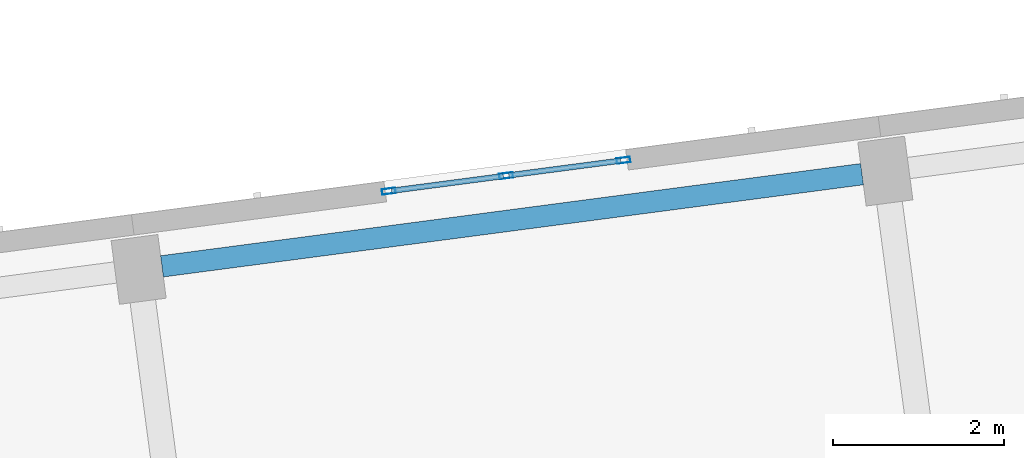
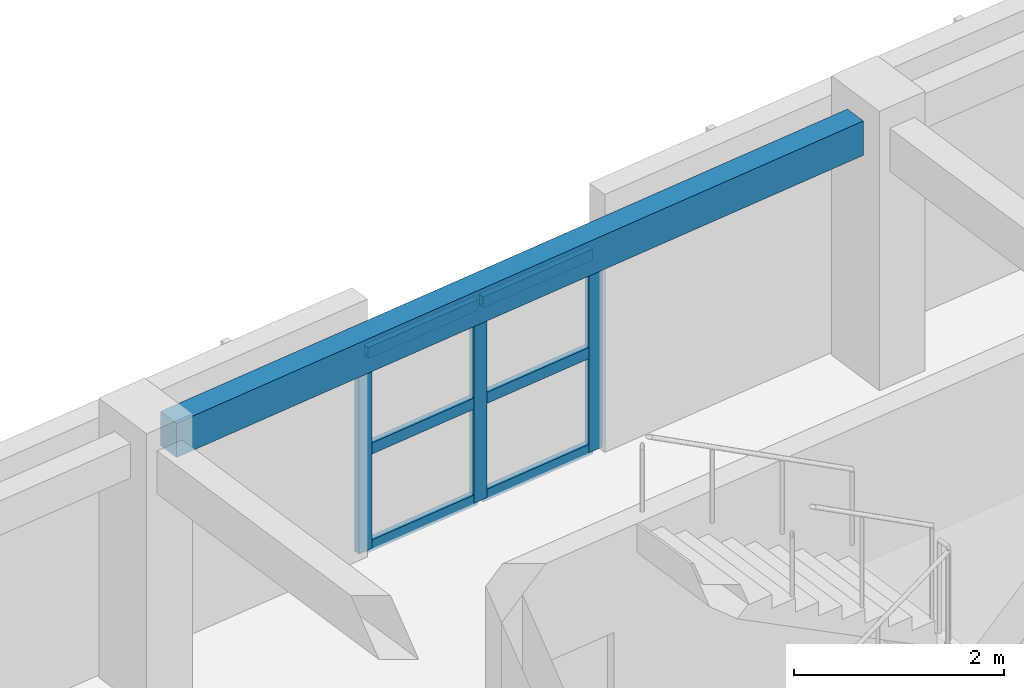
# One storey, part 4 of 64: 9 members, 1 beam, 1 element without a shape of its own.
"""IFC4 building model written with IfcOpenShell, lengths in metres."""

from ifc_helpers import new_model, si_unit, direction, frame, origin, origin_2d, place, context, subcontext, project, spatial, rectangle, hollow_rectangle, extrude, material, material_profile, profile_set, type_object, element, aggregate, save


model = new_model("IFC4")

# Units and contexts
model_context = context("Model", 3, precision=1e-05, world=origin(), true_north=direction((0.0, 1.0)))
body_context = subcontext(model_context, "Body", "Model", "MODEL_VIEW")
ifc_project = project(units=[si_unit("LENGTHUNIT", "METRE"), si_unit("AREAUNIT", "SQUARE_METRE"), si_unit("VOLUMEUNIT", "CUBIC_METRE"), si_unit("PLANEANGLEUNIT", "RADIAN"), si_unit("MASSUNIT", "GRAM", prefix="KILO")], contexts=[model_context])

# Site, building, storey
site_placement = place(None, origin())
site = spatial("IfcSite", under=ifc_project, at=site_placement, CompositionType="ELEMENT")
building_placement = place(site_placement, origin())
building = spatial("IfcBuilding", under=site, at=building_placement, Name="Kestramere Prow Commons", CompositionType="ELEMENT")
storey_placement = place(building_placement, frame((0.0, 0.0, 24.64990234375)))
storey = spatial("IfcBuildingStorey", under=building, at=storey_placement, Name="L07", CompositionType="ELEMENT", Elevation=24.64990234375)

# Curtain wall, members
ifc_material_1 = material(Name="Anodised Aluminium and Low-E Glass", Category="aluminium")
curtain_wall_type = type_object("IfcCurtainWallType", Name="CW-03 Glazed Curtain Wall 2830x2320", PredefinedType="USERDEFINED", material=ifc_material_1)
curtain_wall_placement = place(storey_placement, origin())
curtain_wall = element("IfcCurtainWall", 1, at=curtain_wall_placement, inside=storey, type_object=curtain_wall_type, Name="Block A L07 Stairwell Vertical Glazing 2", ObjectType="GLAZED CURTAIN WALL", PredefinedType="USERDEFINED")
ifc_material_2 = material(Name="Anodised Aluminium 6063-T6", Category="aluminium")
ifc_material_profile_1 = material_profile(ifc_material_2, hollow_rectangle(XDim=0.06494140625, YDim=0.159912109375, WallThickness=0.00390625, at=origin_2d()), Name="ALU-MUL 65x160")
ifc_profile_set_1 = profile_set([ifc_material_profile_1], Name="Anodised Aluminium 6063-T6")
member_type_1 = type_object("IfcMemberType", Name="CW-MUL-65x160", PredefinedType="MULLION", material=ifc_profile_set_1)
member_1_placement = place(storey_placement, frame((20.2373046875, 93.891845703125, 0.0), z_axis=(0.0, 0.0, 1.0), x_axis=(-0.13052614723, 0.991444867297, 0.0)))
member_1 = element("IfcMember", 2, at=member_1_placement, type_object=member_type_1, Name="CW-03 mullion 1", PredefinedType="MULLION", context=body_context, shape_type="SweptSolid", body=[
    extrude(hollow_rectangle(XDim=0.06494140625, YDim=0.159912109375, WallThickness=0.00390625, at=origin_2d()), origin(), (0.0, 0.0, 1.0), 2.320068359375),
])
member_2_placement = place(storey_placement, frame((21.60791015625, 94.072265625, 0.0), z_axis=(0.0, 0.0, 1.0), x_axis=(-0.13052614723, 0.991444867297, 0.0)))
member_2 = element("IfcMember", 3, at=member_2_placement, type_object=member_type_1, Name="CW-03 mullion 2", PredefinedType="MULLION", context=body_context, shape_type="SweptSolid", body=[
    extrude(hollow_rectangle(XDim=0.06494140625, YDim=0.159912109375, WallThickness=0.00390625, at=origin_2d()), origin(), (0.0, 0.0, 1.0), 2.320068359375),
])
member_3_placement = place(storey_placement, frame((22.978759765625, 94.252685546875, 0.0), z_axis=(0.0, 0.0, 1.0), x_axis=(-0.13052614723, 0.991444867297, 0.0)))
member_3 = element("IfcMember", 4, at=member_3_placement, type_object=member_type_1, Name="CW-03 mullion 3", PredefinedType="MULLION", context=body_context, shape_type="SweptSolid", body=[
    extrude(hollow_rectangle(XDim=0.06494140625, YDim=0.159912109375, WallThickness=0.00390625, at=origin_2d()), origin(), (0.0, 0.0, 1.0), 2.320068359375),
])
ifc_material_profile_2 = material_profile(ifc_material_2, hollow_rectangle(XDim=0.06494140625, YDim=0.1298828125, WallThickness=0.00390625, at=origin_2d()), Name="ALU-TRN 65x130")
ifc_profile_set_2 = profile_set([ifc_material_profile_2], Name="Anodised Aluminium 6063-T6")
member_type_2 = type_object("IfcMemberType", Name="CW-TRN-65x130", PredefinedType="USERDEFINED", material=ifc_profile_set_2)
member_4_placement = place(storey_placement, frame((20.26953125, 93.896240234375, 0.03271484375), z_axis=(0.991453033969, 0.130464100171, 0.0), x_axis=(-0.130464100171, 0.991453033969, 0.0)))
member_4 = element("IfcMember", 5, at=member_4_placement, type_object=member_type_2, Name="CW-03 transom 1.1", ObjectType="TRANSOM", PredefinedType="USERDEFINED", context=body_context, shape_type="SweptSolid", body=[
    extrude(hollow_rectangle(XDim=0.06494140625, YDim=0.1298828125, WallThickness=0.00390625, at=origin_2d()), origin(), (0.0, 0.0, 1.0), 1.3173828125),
])
member_5_placement = place(storey_placement, frame((20.26953125, 93.896240234375, 1.16015625), z_axis=(0.991453033969, 0.130464100171, 0.0), x_axis=(-0.130464100171, 0.991453033969, 0.0)))
member_5 = element("IfcMember", 6, at=member_5_placement, type_object=member_type_2, Name="CW-03 transom 1.2", ObjectType="TRANSOM", PredefinedType="USERDEFINED", context=body_context, shape_type="SweptSolid", body=[
    extrude(hollow_rectangle(XDim=0.06494140625, YDim=0.1298828125, WallThickness=0.00390625, at=origin_2d()), origin(), (0.0, 0.0, 1.0), 1.3173828125),
])
member_6_placement = place(storey_placement, frame((20.26953125, 93.896240234375, 2.28759765625), z_axis=(0.991453033969, 0.130464100171, 0.0), x_axis=(-0.130464100171, 0.991453033969, 0.0)))
member_6 = element("IfcMember", 7, at=member_6_placement, type_object=member_type_2, Name="CW-03 transom 1.3", ObjectType="TRANSOM", PredefinedType="USERDEFINED", context=body_context, shape_type="SweptSolid", body=[
    extrude(hollow_rectangle(XDim=0.06494140625, YDim=0.1298828125, WallThickness=0.00390625, at=origin_2d()), origin(), (0.0, 0.0, 1.0), 1.3173828125),
])
member_7_placement = place(storey_placement, frame((21.64013671875, 94.07666015625, 0.03271484375), z_axis=(0.991456187381, 0.130440133791, 0.0), x_axis=(-0.130440133791, 0.991456187381, 0.0)))
member_7 = element("IfcMember", 8, at=member_7_placement, type_object=member_type_2, Name="CW-03 transom 2.1", ObjectType="TRANSOM", PredefinedType="USERDEFINED", context=body_context, shape_type="SweptSolid", body=[
    extrude(hollow_rectangle(XDim=0.06494140625, YDim=0.1298828125, WallThickness=0.00390625, at=origin_2d()), origin(), (0.0, 0.0, 1.0), 1.317626953125),
])
member_8_placement = place(storey_placement, frame((21.64013671875, 94.07666015625, 1.16015625), z_axis=(0.991456187381, 0.130440133791, 0.0), x_axis=(-0.130440133791, 0.991456187381, 0.0)))
member_8 = element("IfcMember", 9, at=member_8_placement, type_object=member_type_2, Name="CW-03 transom 2.2", ObjectType="TRANSOM", PredefinedType="USERDEFINED", context=body_context, shape_type="SweptSolid", body=[
    extrude(hollow_rectangle(XDim=0.06494140625, YDim=0.1298828125, WallThickness=0.00390625, at=origin_2d()), origin(), (0.0, 0.0, 1.0), 1.317626953125),
])
member_9_placement = place(storey_placement, frame((21.64013671875, 94.07666015625, 2.28759765625), z_axis=(0.991456187381, 0.130440133791, 0.0), x_axis=(-0.130440133791, 0.991456187381, 0.0)))
member_9 = element("IfcMember", 10, at=member_9_placement, type_object=member_type_2, Name="CW-03 transom 2.3", ObjectType="TRANSOM", PredefinedType="USERDEFINED", context=body_context, shape_type="SweptSolid", body=[
    extrude(hollow_rectangle(XDim=0.06494140625, YDim=0.1298828125, WallThickness=0.00390625, at=origin_2d()), origin(), (0.0, 0.0, 1.0), 1.317626953125),
])
aggregate(curtain_wall, [member_1, member_2, member_3, member_4, member_5, member_6, member_7, member_8, member_9])

# Beam
ifc_material_3 = material(Name="Precast concrete C40/50", Category="concrete")
ifc_material_profile_3 = material_profile(ifc_material_3, rectangle(XDim=0.25, YDim=0.39990234375, at=origin_2d()), Name="PC-SP 250x400")
ifc_profile_set_3 = profile_set([ifc_material_profile_3], Name="Precast concrete C40/50")
beam_type = type_object("IfcBeamType", Name="SP-EXT-01 PC-SP 250x400", PredefinedType="SPANDREL", material=ifc_profile_set_3)
beam_placement = place(storey_placement, frame((17.5869140625, 93.013427734375, 2.800048828125), z_axis=(0.991443917843, 0.130533358852, 0.0), x_axis=(-0.130533358852, 0.991443917843, 0.0)))
element("IfcBeam", 11, at=beam_placement, inside=storey, type_object=beam_type, Name="Block A L07 Longitudinal Beam 4-2", PredefinedType="SPANDREL", context=body_context, shape_type="SweptSolid", body=[
    extrude(rectangle(XDim=0.25, YDim=0.39990234375, at=origin_2d()), origin(), (0.0, 0.0, 1.0), 8.25),
])

save(model, "model.ifc")
